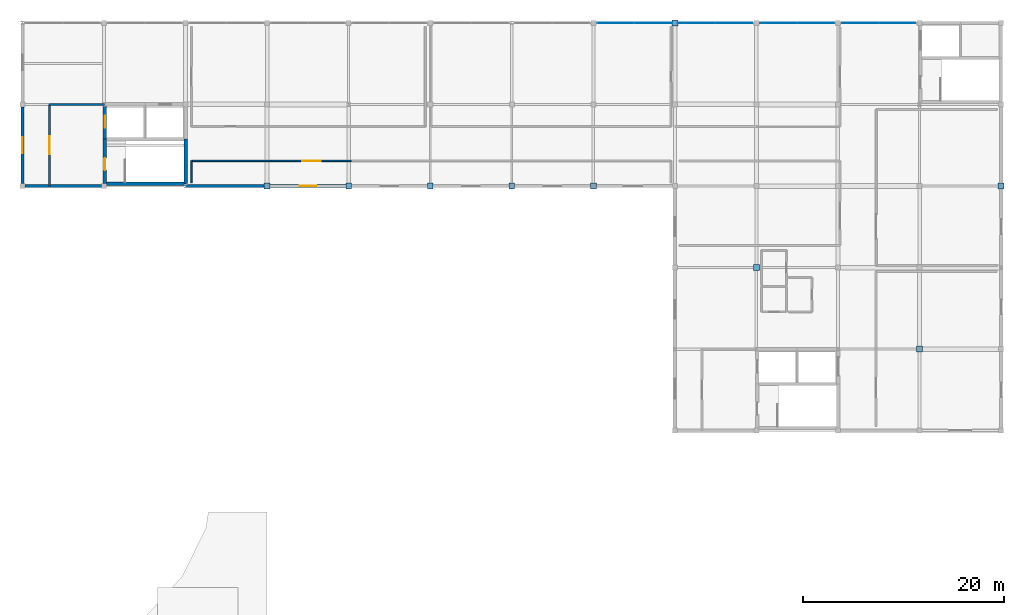
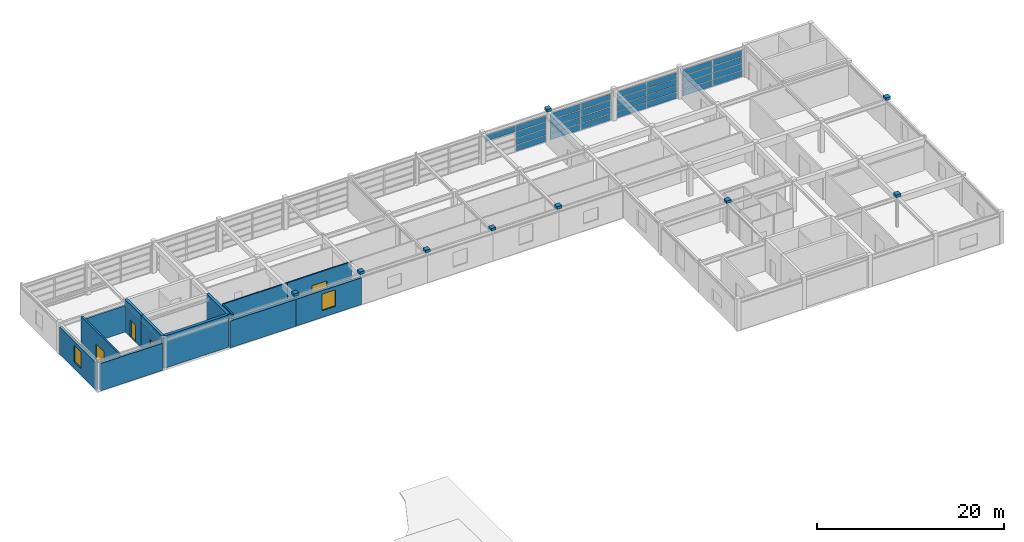
# One storey, part 15 of 19: 38 plates, 13 walls, 4 doors, 2 windows, 6 openings, 4 elements without a shape of their own.
"""IFC4 building model written with IfcOpenShell, lengths in metres."""

from ifc_helpers import new_model, si_unit, direction, frame, frame_2d, origin, origin_2d, place, context, subcontext, project, spatial, rectangle, extrude, material, layer, layer_set, type_object, element, fill, aggregate, save


model = new_model("IFC4")

# Units and contexts
model_context = context("Model", 3, precision=1e-05, world=origin(), true_north=direction((0.0, 1.0)))
body_context = subcontext(model_context, "Body", "Model", "MODEL_VIEW")
ifc_project = project(units=[si_unit("LENGTHUNIT", "METRE"), si_unit("AREAUNIT", "SQUARE_METRE"), si_unit("VOLUMEUNIT", "CUBIC_METRE"), si_unit("PLANEANGLEUNIT", "RADIAN"), si_unit("MASSUNIT", "GRAM", prefix="KILO")], contexts=[model_context])

# Site, building, storey
site_placement = place(None, origin())
site = spatial("IfcSite", under=ifc_project, at=site_placement, CompositionType="ELEMENT")
building_placement = place(site_placement, origin())
building = spatial("IfcBuilding", under=site, at=building_placement, Name="Parian Resonance Hall", CompositionType="ELEMENT")
storey_placement = place(building_placement, frame((0.0, 0.0, 23.39990234375)))
storey = spatial("IfcBuildingStorey", under=building, at=storey_placement, Name="L05", CompositionType="ELEMENT", Elevation=23.39990234375)

# Curtain wall, plates
ifc_material_1 = material(Name="Bronze-anodised aluminium frame", Category="aluminium")
curtain_wall_type_1 = type_object("IfcCurtainWallType", Name="CW-SYS-02", PredefinedType="NOTDEFINED", material=ifc_material_1)
curtain_wall_1_placement = place(storey_placement, origin())
curtain_wall_1 = element("IfcCurtainWall", 1, at=curtain_wall_1_placement, inside=storey, type_object=curtain_wall_type_1, Name="Curtain wall CW-L05-159", PredefinedType="NOTDEFINED")
ifc_material_2 = material(Name="Acoustic laminated double glazing", Category="glass")
ifc_layer_1 = layer(ifc_material_2, 0.02197265625)
ifc_layer_set_1 = layer_set([ifc_layer_1], Name="Acoustic laminated double glazing")
plate_type_1 = type_object("IfcPlateType", Name="CWP-IGU22", PredefinedType="CURTAIN_PANEL", material=ifc_layer_set_1)
plate_1_placement = place(storey_placement, frame((107.53759765625, 89.10009765625, 2.65380859375), z_axis=(0.0, 0.0, 1.0), x_axis=(1.0, 0.0, 0.0)))
plate_1 = element("IfcPlate", 2, at=plate_1_placement, type_object=plate_type_1, Name="CW-02 panel 1.4", PredefinedType="CURTAIN_PANEL", context=body_context, shape_type="SweptSolid", body=[
    extrude(rectangle(XDim=3.68505859375, YDim=0.02197265625, at=origin_2d()), origin(), (0.0, 0.0, 1.0), 0.786376953125),
])
plate_2_placement = place(storey_placement, frame((111.28759765625, 89.10009765625, 0.05712890625), z_axis=(0.0, 0.0, 1.0), x_axis=(1.0, 0.0, 0.0)))
plate_2 = element("IfcPlate", 3, at=plate_2_placement, type_object=plate_type_1, Name="CW-02 panel 2.1", PredefinedType="CURTAIN_PANEL", context=body_context, shape_type="SweptSolid", body=[
    extrude(rectangle(XDim=3.68505859375, YDim=0.02197265625, at=origin_2d()), origin(), (0.0, 0.0, 1.0), 0.7841796875),
])
plate_3_placement = place(storey_placement, frame((111.28759765625, 89.10009765625, 0.90625), z_axis=(0.0, 0.0, 1.0), x_axis=(1.0, 0.0, 0.0)))
plate_3 = element("IfcPlate", 4, at=plate_3_placement, type_object=plate_type_1, Name="CW-02 panel 2.2", PredefinedType="CURTAIN_PANEL", context=body_context, shape_type="SweptSolid", body=[
    extrude(rectangle(XDim=3.68505859375, YDim=0.02197265625, at=origin_2d()), origin(), (0.0, 0.0, 1.0), 0.808837890625),
])
plate_4_placement = place(storey_placement, frame((111.28759765625, 89.10009765625, 1.780029296875), z_axis=(0.0, 0.0, 1.0), x_axis=(1.0, 0.0, 0.0)))
plate_4 = element("IfcPlate", 5, at=plate_4_placement, type_object=plate_type_1, Name="CW-02 panel 2.3", PredefinedType="CURTAIN_PANEL", context=body_context, shape_type="SweptSolid", body=[
    extrude(rectangle(XDim=3.68505859375, YDim=0.02197265625, at=origin_2d()), origin(), (0.0, 0.0, 1.0), 0.80859375),
])
plate_5_placement = place(storey_placement, frame((111.28759765625, 89.10009765625, 2.65380859375), z_axis=(0.0, 0.0, 1.0), x_axis=(1.0, 0.0, 0.0)))
plate_5 = element("IfcPlate", 6, at=plate_5_placement, type_object=plate_type_1, Name="CW-02 panel 2.4", PredefinedType="CURTAIN_PANEL", context=body_context, shape_type="SweptSolid", body=[
    extrude(rectangle(XDim=3.68505859375, YDim=0.02197265625, at=origin_2d()), origin(), (0.0, 0.0, 1.0), 0.786376953125),
])
aggregate(curtain_wall_1, [plate_1, plate_2, plate_3, plate_4, plate_5])

ifc_material_3 = material(Name="Bronze-anodised aluminium frame", Category="aluminium")
curtain_wall_type_2 = type_object("IfcCurtainWallType", Name="CW-SYS-05", PredefinedType="NOTDEFINED", material=ifc_material_3)
curtain_wall_2_placement = place(storey_placement, origin())
curtain_wall_2 = element("IfcCurtainWall", 7, at=curtain_wall_2_placement, inside=storey, type_object=curtain_wall_type_2, Name="Curtain wall CW-L05-162", PredefinedType="NOTDEFINED")
plate_6_placement = place(storey_placement, frame((131.808837890625, 89.10009765625, 0.067138671875), z_axis=(0.0, 0.0, 1.0), x_axis=(1.0, 0.0, 0.0)))
plate_6 = element("IfcPlate", 8, at=plate_6_placement, type_object=plate_type_1, Name="CW-05 panel 1.1", PredefinedType="CURTAIN_PANEL", context=body_context, shape_type="SweptSolid", body=[
    extrude(rectangle(XDim=3.607421875, YDim=0.02197265625, at=origin_2d()), origin(), (0.0, 0.0, 1.0), 0.7822265625),
])
plate_7_placement = place(storey_placement, frame((131.808837890625, 89.10009765625, 0.92431640625), z_axis=(0.0, 0.0, 1.0), x_axis=(1.0, 0.0, 0.0)))
plate_7 = element("IfcPlate", 9, at=plate_7_placement, type_object=plate_type_1, Name="CW-05 panel 1.2", PredefinedType="CURTAIN_PANEL", context=body_context, shape_type="SweptSolid", body=[
    extrude(rectangle(XDim=3.607421875, YDim=0.02197265625, at=origin_2d()), origin(), (0.0, 0.0, 1.0), 0.811767578125),
])
plate_8_placement = place(storey_placement, frame((131.808837890625, 89.10009765625, 1.81103515625), z_axis=(0.0, 0.0, 1.0), x_axis=(1.0, 0.0, 0.0)))
plate_8 = element("IfcPlate", 10, at=plate_8_placement, type_object=plate_type_1, Name="CW-05 panel 1.3", PredefinedType="CURTAIN_PANEL", context=body_context, shape_type="SweptSolid", body=[
    extrude(rectangle(XDim=3.607421875, YDim=0.02197265625, at=origin_2d()), origin(), (0.0, 0.0, 1.0), 0.811767578125),
])
plate_9_placement = place(storey_placement, frame((131.808837890625, 89.10009765625, 2.69775390625), z_axis=(0.0, 0.0, 1.0), x_axis=(1.0, 0.0, 0.0)))
plate_9 = element("IfcPlate", 11, at=plate_9_placement, type_object=plate_type_1, Name="CW-05 panel 1.4", PredefinedType="CURTAIN_PANEL", context=body_context, shape_type="SweptSolid", body=[
    extrude(rectangle(XDim=3.607421875, YDim=0.02197265625, at=origin_2d()), origin(), (0.0, 0.0, 1.0), 0.7841796875),
])
plate_10_placement = place(storey_placement, frame((135.4912109375, 89.10009765625, 0.067138671875), z_axis=(0.0, 0.0, 1.0), x_axis=(1.0, 0.0, 0.0)))
plate_10 = element("IfcPlate", 12, at=plate_10_placement, type_object=plate_type_1, Name="CW-05 panel 2.1", PredefinedType="CURTAIN_PANEL", context=body_context, shape_type="SweptSolid", body=[
    extrude(rectangle(XDim=3.607421875, YDim=0.02197265625, at=origin_2d()), origin(), (0.0, 0.0, 1.0), 0.7822265625),
])
plate_11_placement = place(storey_placement, frame((135.4912109375, 89.10009765625, 0.92431640625), z_axis=(0.0, 0.0, 1.0), x_axis=(1.0, 0.0, 0.0)))
plate_11 = element("IfcPlate", 13, at=plate_11_placement, type_object=plate_type_1, Name="CW-05 panel 2.2", PredefinedType="CURTAIN_PANEL", context=body_context, shape_type="SweptSolid", body=[
    extrude(rectangle(XDim=3.607421875, YDim=0.02197265625, at=origin_2d()), origin(), (0.0, 0.0, 1.0), 0.811767578125),
])
plate_12_placement = place(storey_placement, frame((135.4912109375, 89.10009765625, 1.81103515625), z_axis=(0.0, 0.0, 1.0), x_axis=(1.0, 0.0, 0.0)))
plate_12 = element("IfcPlate", 14, at=plate_12_placement, type_object=plate_type_1, Name="CW-05 panel 2.3", PredefinedType="CURTAIN_PANEL", context=body_context, shape_type="SweptSolid", body=[
    extrude(rectangle(XDim=3.607421875, YDim=0.02197265625, at=origin_2d()), origin(), (0.0, 0.0, 1.0), 0.811767578125),
])
plate_13_placement = place(storey_placement, frame((135.4912109375, 89.10009765625, 2.69775390625), z_axis=(0.0, 0.0, 1.0), x_axis=(1.0, 0.0, 0.0)))
plate_13 = element("IfcPlate", 15, at=plate_13_placement, type_object=plate_type_1, Name="CW-05 panel 2.4", PredefinedType="CURTAIN_PANEL", context=body_context, shape_type="SweptSolid", body=[
    extrude(rectangle(XDim=3.607421875, YDim=0.02197265625, at=origin_2d()), origin(), (0.0, 0.0, 1.0), 0.7841796875),
])
aggregate(curtain_wall_2, [plate_6, plate_7, plate_8, plate_9, plate_10, plate_11, plate_12, plate_13])

ifc_material_4 = material(Name="Bronze-anodised aluminium frame", Category="aluminium")
curtain_wall_type_3 = type_object("IfcCurtainWallType", Name="CW-SYS-03", PredefinedType="NOTDEFINED", material=ifc_material_4)
curtain_wall_3_placement = place(storey_placement, origin())
curtain_wall_3 = element("IfcCurtainWall", 16, at=curtain_wall_3_placement, inside=storey, type_object=curtain_wall_type_3, Name="Curtain wall CW-L05-160", PredefinedType="NOTDEFINED")
ifc_material_5 = material(Name="Acoustic laminated double glazing", Category="glass")
ifc_layer_2 = layer(ifc_material_5, 0.031982421875)
ifc_layer_set_2 = layer_set([ifc_layer_2], Name="Acoustic laminated double glazing")
plate_type_2 = type_object("IfcPlateType", Name="CWP-IGU32", PredefinedType="CURTAIN_PANEL", material=ifc_layer_set_2)
plate_14_placement = place(storey_placement, frame((115.514892578125, 89.10009765625, 0.067138671875), z_axis=(0.0, 0.0, 1.0), x_axis=(1.0, 0.0, 0.0)))
plate_14 = element("IfcPlate", 17, at=plate_14_placement, type_object=plate_type_2, Name="CW-03 panel 1.1", PredefinedType="CURTAIN_PANEL", context=body_context, shape_type="SweptSolid", body=[
    extrude(rectangle(XDim=3.669921875, YDim=0.031982421875, at=origin_2d()), origin(), (0.0, 0.0, 1.0), 0.7822265625),
])
plate_15_placement = place(storey_placement, frame((115.514892578125, 89.10009765625, 0.92431640625), z_axis=(0.0, 0.0, 1.0), x_axis=(1.0, 0.0, 0.0)))
plate_15 = element("IfcPlate", 18, at=plate_15_placement, type_object=plate_type_2, Name="CW-03 panel 1.2", PredefinedType="CURTAIN_PANEL", context=body_context, shape_type="SweptSolid", body=[
    extrude(rectangle(XDim=3.669921875, YDim=0.031982421875, at=origin_2d()), origin(), (0.0, 0.0, 1.0), 0.811767578125),
])
plate_16_placement = place(storey_placement, frame((115.514892578125, 89.10009765625, 1.81103515625), z_axis=(0.0, 0.0, 1.0), x_axis=(1.0, 0.0, 0.0)))
plate_16 = element("IfcPlate", 19, at=plate_16_placement, type_object=plate_type_2, Name="CW-03 panel 1.3", PredefinedType="CURTAIN_PANEL", context=body_context, shape_type="SweptSolid", body=[
    extrude(rectangle(XDim=3.669921875, YDim=0.031982421875, at=origin_2d()), origin(), (0.0, 0.0, 1.0), 0.811767578125),
])
plate_17_placement = place(storey_placement, frame((115.514892578125, 89.10009765625, 2.69775390625), z_axis=(0.0, 0.0, 1.0), x_axis=(1.0, 0.0, 0.0)))
plate_17 = element("IfcPlate", 20, at=plate_17_placement, type_object=plate_type_2, Name="CW-03 panel 1.4", PredefinedType="CURTAIN_PANEL", context=body_context, shape_type="SweptSolid", body=[
    extrude(rectangle(XDim=3.669921875, YDim=0.031982421875, at=origin_2d()), origin(), (0.0, 0.0, 1.0), 0.7841796875),
])
plate_18_placement = place(storey_placement, frame((119.260009765625, 89.10009765625, 0.067138671875), z_axis=(0.0, 0.0, 1.0), x_axis=(1.0, 0.0, 0.0)))
plate_18 = element("IfcPlate", 21, at=plate_18_placement, type_object=plate_type_2, Name="CW-03 panel 2.1", PredefinedType="CURTAIN_PANEL", context=body_context, shape_type="SweptSolid", body=[
    extrude(rectangle(XDim=3.669921875, YDim=0.031982421875, at=origin_2d()), origin(), (0.0, 0.0, 1.0), 0.7822265625),
])
plate_19_placement = place(storey_placement, frame((119.260009765625, 89.10009765625, 0.92431640625), z_axis=(0.0, 0.0, 1.0), x_axis=(1.0, 0.0, 0.0)))
plate_19 = element("IfcPlate", 22, at=plate_19_placement, type_object=plate_type_2, Name="CW-03 panel 2.2", PredefinedType="CURTAIN_PANEL", context=body_context, shape_type="SweptSolid", body=[
    extrude(rectangle(XDim=3.669921875, YDim=0.031982421875, at=origin_2d()), origin(), (0.0, 0.0, 1.0), 0.811767578125),
])
plate_20_placement = place(storey_placement, frame((119.260009765625, 89.10009765625, 1.81103515625), z_axis=(0.0, 0.0, 1.0), x_axis=(1.0, 0.0, 0.0)))
plate_20 = element("IfcPlate", 23, at=plate_20_placement, type_object=plate_type_2, Name="CW-03 panel 2.3", PredefinedType="CURTAIN_PANEL", context=body_context, shape_type="SweptSolid", body=[
    extrude(rectangle(XDim=3.669921875, YDim=0.031982421875, at=origin_2d()), origin(), (0.0, 0.0, 1.0), 0.811767578125),
])
plate_21_placement = place(storey_placement, frame((119.260009765625, 89.10009765625, 2.69775390625), z_axis=(0.0, 0.0, 1.0), x_axis=(1.0, 0.0, 0.0)))
plate_21 = element("IfcPlate", 24, at=plate_21_placement, type_object=plate_type_2, Name="CW-03 panel 2.4", PredefinedType="CURTAIN_PANEL", context=body_context, shape_type="SweptSolid", body=[
    extrude(rectangle(XDim=3.669921875, YDim=0.031982421875, at=origin_2d()), origin(), (0.0, 0.0, 1.0), 0.7841796875),
])
aggregate(curtain_wall_3, [plate_14, plate_15, plate_16, plate_17, plate_18, plate_19, plate_20, plate_21])

ifc_material_6 = material(Name="Bronze-anodised aluminium frame", Category="aluminium")
curtain_wall_type_4 = type_object("IfcCurtainWallType", Name="CW-SYS-04", PredefinedType="NOTDEFINED", material=ifc_material_6)
curtain_wall_4_placement = place(storey_placement, origin())
curtain_wall_4 = element("IfcCurtainWall", 25, at=curtain_wall_4_placement, inside=storey, type_object=curtain_wall_type_4, Name="Curtain wall CW-L05-161", PredefinedType="NOTDEFINED")
ifc_material_7 = material(Name="Acoustic laminated double glazing", Category="glass")
ifc_layer_3 = layer(ifc_material_7, 0.0419921875)
ifc_layer_set_3 = layer_set([ifc_layer_3], Name="Acoustic laminated double glazing")
plate_type_3 = type_object("IfcPlateType", Name="CWP-IGU42", PredefinedType="CURTAIN_PANEL", material=ifc_layer_set_3)
plate_22_placement = place(storey_placement, frame((123.706298828125, 89.10009765625, 0.05712890625), z_axis=(0.0, 0.0, 1.0), x_axis=(1.0, 0.0, 0.0)))
plate_22 = element("IfcPlate", 26, at=plate_22_placement, type_object=plate_type_3, Name="CW-04 panel 1.1", PredefinedType="CURTAIN_PANEL", context=body_context, shape_type="SweptSolid", body=[
    extrude(rectangle(XDim=3.62255859375, YDim=0.0419921875, at=origin_2d()), origin(), (0.0, 0.0, 1.0), 0.7841796875),
])
plate_23_placement = place(storey_placement, frame((123.706298828125, 89.10009765625, 0.90625), z_axis=(0.0, 0.0, 1.0), x_axis=(1.0, 0.0, 0.0)))
plate_23 = element("IfcPlate", 27, at=plate_23_placement, type_object=plate_type_3, Name="CW-04 panel 1.2", PredefinedType="CURTAIN_PANEL", context=body_context, shape_type="SweptSolid", body=[
    extrude(rectangle(XDim=3.62255859375, YDim=0.0419921875, at=origin_2d()), origin(), (0.0, 0.0, 1.0), 0.808837890625),
])
plate_24_placement = place(storey_placement, frame((123.706298828125, 89.10009765625, 1.780029296875), z_axis=(0.0, 0.0, 1.0), x_axis=(1.0, 0.0, 0.0)))
plate_24 = element("IfcPlate", 28, at=plate_24_placement, type_object=plate_type_3, Name="CW-04 panel 1.3", PredefinedType="CURTAIN_PANEL", context=body_context, shape_type="SweptSolid", body=[
    extrude(rectangle(XDim=3.62255859375, YDim=0.0419921875, at=origin_2d()), origin(), (0.0, 0.0, 1.0), 0.80859375),
])
plate_25_placement = place(storey_placement, frame((123.706298828125, 89.10009765625, 2.65380859375), z_axis=(0.0, 0.0, 1.0), x_axis=(1.0, 0.0, 0.0)))
plate_25 = element("IfcPlate", 29, at=plate_25_placement, type_object=plate_type_3, Name="CW-04 panel 1.4", PredefinedType="CURTAIN_PANEL", context=body_context, shape_type="SweptSolid", body=[
    extrude(rectangle(XDim=3.62255859375, YDim=0.0419921875, at=origin_2d()), origin(), (0.0, 0.0, 1.0), 0.786376953125),
])
plate_26_placement = place(storey_placement, frame((127.393798828125, 89.10009765625, 0.05712890625), z_axis=(0.0, 0.0, 1.0), x_axis=(1.0, 0.0, 0.0)))
plate_26 = element("IfcPlate", 30, at=plate_26_placement, type_object=plate_type_3, Name="CW-04 panel 2.1", PredefinedType="CURTAIN_PANEL", context=body_context, shape_type="SweptSolid", body=[
    extrude(rectangle(XDim=3.62255859375, YDim=0.0419921875, at=origin_2d()), origin(), (0.0, 0.0, 1.0), 0.7841796875),
])
plate_27_placement = place(storey_placement, frame((127.393798828125, 89.10009765625, 0.90625), z_axis=(0.0, 0.0, 1.0), x_axis=(1.0, 0.0, 0.0)))
plate_27 = element("IfcPlate", 31, at=plate_27_placement, type_object=plate_type_3, Name="CW-04 panel 2.2", PredefinedType="CURTAIN_PANEL", context=body_context, shape_type="SweptSolid", body=[
    extrude(rectangle(XDim=3.62255859375, YDim=0.0419921875, at=origin_2d()), origin(), (0.0, 0.0, 1.0), 0.808837890625),
])
plate_28_placement = place(storey_placement, frame((127.393798828125, 89.10009765625, 1.780029296875), z_axis=(0.0, 0.0, 1.0), x_axis=(1.0, 0.0, 0.0)))
plate_28 = element("IfcPlate", 32, at=plate_28_placement, type_object=plate_type_3, Name="CW-04 panel 2.3", PredefinedType="CURTAIN_PANEL", context=body_context, shape_type="SweptSolid", body=[
    extrude(rectangle(XDim=3.62255859375, YDim=0.0419921875, at=origin_2d()), origin(), (0.0, 0.0, 1.0), 0.80859375),
])
plate_29_placement = place(storey_placement, frame((127.393798828125, 89.10009765625, 2.65380859375), z_axis=(0.0, 0.0, 1.0), x_axis=(1.0, 0.0, 0.0)))
plate_29 = element("IfcPlate", 33, at=plate_29_placement, type_object=plate_type_3, Name="CW-04 panel 2.4", PredefinedType="CURTAIN_PANEL", context=body_context, shape_type="SweptSolid", body=[
    extrude(rectangle(XDim=3.62255859375, YDim=0.0419921875, at=origin_2d()), origin(), (0.0, 0.0, 1.0), 0.786376953125),
])
aggregate(curtain_wall_4, [plate_22, plate_23, plate_24, plate_25, plate_26, plate_27, plate_28, plate_29])

# Plates
ifc_material_8 = material(Name="Steel S355", Category="steel")
ifc_layer_4 = layer(ifc_material_8, 0.340087890625)
ifc_layer_set_4 = layer_set([ifc_layer_4], Name="Steel S355")
plate_type_4 = type_object("IfcPlateType", Name="PLT-CAP-500", PredefinedType="SHEET", material=ifc_layer_set_4)
for number, where, z_axis, x_axis, name in (
    (34, (72.89990234375, 72.89990234375, 4.0302734375), (0.0, 0.0, 1.0), (1.0, 0.0, 0.0), "Steel hollow-section node closure block 0286"),
    (35, (81.0, 72.89990234375, 4.0302734375), (0.0, 0.0, 1.0), (1.0, 0.0, 0.0), "Steel hollow-section node closure block 0298"),
    (36, (89.10009765625, 72.89990234375, 4.0302734375), (0.0, 0.0, 1.0), (1.0, 0.0, 0.0), "Steel hollow-section node closure block 0310"),
    (37, (97.199951171875, 72.89990234375, 4.0302734375), (0.0, 0.0, 1.0), (1.0, 0.0, 0.0), "Steel hollow-section node closure block 0322"),
    (38, (113.39990234375, 89.10009765625, 4.0302734375), (0.0, 0.0, 1.0), (1.0, 0.0, 0.0), "Steel hollow-section node closure block 0330"),
    (39, (121.5, 64.800048828125, 4.0302734375), (0.0, 0.0, 1.0), (1.0, 0.0, 0.0), "Steel hollow-section node closure block 0334"),
    (40, (145.800048828125, 72.89990234375, 4.0302734375), (0.0, 0.0, 1.0), (1.0, 0.0, 0.0), "Steel hollow-section node closure block 0342"),
):
    element("IfcPlate", number, at=place(storey_placement, frame(where, z_axis=z_axis, x_axis=x_axis)), inside=storey, type_object=plate_type_4, Name=name, PredefinedType="SHEET", context=body_context, shape_type="SweptSolid", body=[
        extrude(rectangle(XDim=0.580078125, YDim=0.580078125, at=origin_2d()), origin(), (0.0, 0.0, 1.0), 0.340087890625),
    ])
ifc_material_9 = material(Name="Steel S355", Category="steel")
ifc_layer_5 = layer(ifc_material_9, 0.360107421875)
ifc_layer_set_5 = layer_set([ifc_layer_5], Name="Steel S355")
plate_type_5 = type_object("IfcPlateType", Name="PLT-GUS-520", PredefinedType="USERDEFINED", material=ifc_layer_set_5)
for number, where, z_axis, x_axis, name in (
    (41, (105.300048828125, 72.89990234375, 4.02001953125), (0.0, 0.0, 1.0), (1.0, 0.0, 0.0), "Steel hollow-section node closure block 0326"),
    (42, (137.699951171875, 56.699951171875, 4.02001953125), (0.0, 0.0, 1.0), (1.0, 0.0, 0.0), "Steel hollow-section node closure block 0338"),
):
    element("IfcPlate", number, at=place(storey_placement, frame(where, z_axis=z_axis, x_axis=x_axis)), inside=storey, type_object=plate_type_5, Name=name, ObjectType="GUSSET PLATE", PredefinedType="USERDEFINED", context=body_context, shape_type="SweptSolid", body=[
        extrude(rectangle(XDim=0.580078125, YDim=0.580078125, at=origin_2d()), origin(), (0.0, 0.0, 1.0), 0.360107421875),
    ])

# Wall, opening, door
ifc_material_10 = material(Name="Concrete C40/50", Category="concrete")
ifc_layer_6 = layer(ifc_material_10, 0.35009765625)
ifc_layer_set_6 = layer_set([ifc_layer_6], Name="Concrete C40/50")
wall_type_1 = type_object("IfcWallType", Name="CW350", PredefinedType="SHEAR", material=ifc_layer_set_6)
wall_1_placement = place(storey_placement, frame((56.77001953125, 73.1298828125, 0.0), z_axis=(0.0, 0.0, 1.0), x_axis=(0.0, 1.0, 0.0)))
wall_1 = element("IfcWall", 43, at=wall_1_placement, inside=storey, type_object=wall_type_1, Name="Core K1 stairwell west shear wall L05", PredefinedType="SHEAR", context=body_context, shape_type="SweptSolid", body=[
    extrude(rectangle(XDim=4.420166015625, YDim=0.35009765625, at=frame_2d((2.2099609375, 0.0))), origin(), (0.0, 0.0, 1.0), 4.2001953125),
])
opening_1_placement = place(wall_1_placement, frame((1.35009765625, 0.0, 0.0)))
opening_1 = element("IfcOpeningElement", 44, at=opening_1_placement, cuts=wall_1, Name="Opening FD-01", PredefinedType="OPENING", context=body_context, shape_type="SweptSolid", body=[
    extrude(rectangle(XDim=1.199951171875, YDim=2.25, at=frame_2d((0.60009765625, 1.125))), frame((0.0, 0.18505859375, 0.0), z_axis=(0.0, -1.0, 0.0), x_axis=(1.0, 0.0, 0.0)), (0.0, 0.0, 1.0), 0.3701171875),
])
ifc_material_11 = material(Name="Fire-rated acoustic steel and narra timber door", Category="steel")
door_type_1 = type_object("IfcDoorType", Name="FD-01", OperationType="NOTDEFINED", PredefinedType="DOOR", material=ifc_material_11)
door_1_placement = place(opening_1_placement, origin())
door_1 = element("IfcDoor", 45, at=door_1_placement, inside=storey, type_object=door_type_1, Name="Exit stair ST-01 fire door L05", OperationType="SINGLE_SWING_LEFT", OverallHeight=2.25, OverallWidth=1.199951171875, PredefinedType="DOOR", context=body_context, shape_type="SweptSolid", body=[
    extrude(rectangle(XDim=1.199951171875, YDim=2.25, at=frame_2d((0.60009765625, 1.125))), frame((0.0, 0.02490234375, 0.0), z_axis=(0.0, -1.0, 0.0), x_axis=(1.0, 0.0, 0.0)), (0.0, 0.0, 1.0), 0.050048828125),
])
fill(opening_1, door_1)

wall_2_placement = place(storey_placement, frame((56.77001953125, 77.550048828125, 0.0), z_axis=(0.0, 0.0, 1.0), x_axis=(0.0, 1.0, 0.0)))
wall_2 = element("IfcWall", 46, at=wall_2_placement, inside=storey, type_object=wall_type_1, Name="Core K1 lift shaft west shear wall L05", PredefinedType="SHEAR", context=body_context, shape_type="SweptSolid", body=[
    extrude(rectangle(XDim=3.449951171875, YDim=0.35009765625, at=frame_2d((1.72509765625, 0.0))), origin(), (0.0, 0.0, 1.0), 4.2001953125),
])
opening_2_placement = place(wall_2_placement, frame((1.125, 0.0, 0.0)))
opening_2 = element("IfcOpeningElement", 47, at=opening_2_placement, cuts=wall_2, Name="Opening LD-01", PredefinedType="OPENING", context=body_context, shape_type="SweptSolid", body=[
    extrude(rectangle(XDim=1.199951171875, YDim=2.199951171875, at=frame_2d((0.60009765625, 1.10009765625))), frame((0.0, 0.18505859375, 0.0), z_axis=(0.0, -1.0, 0.0), x_axis=(1.0, 0.0, 0.0)), (0.0, 0.0, 1.0), 0.3701171875),
])
ifc_material_12 = material(Name="Stainless steel and bronze elevator cab", Category="steel")
door_type_2 = type_object("IfcDoorType", Name="DOOR-LIFT-1200x2200", OperationType="SLIDING_TO_LEFT", PredefinedType="DOOR", material=ifc_material_12)
door_2_placement = place(opening_2_placement, origin())
door_2 = element("IfcDoor", 48, at=door_2_placement, inside=storey, type_object=door_type_2, Name="Lift LF-01 sliding landing door L05", OperationType="SLIDING_TO_LEFT", OverallHeight=2.199951171875, OverallWidth=1.199951171875, PredefinedType="DOOR", context=body_context, shape_type="SweptSolid", body=[
    extrude(rectangle(XDim=1.199951171875, YDim=2.199951171875, at=frame_2d((0.60009765625, 1.10009765625))), frame((0.0, 0.02490234375, 0.0), z_axis=(0.0, -1.0, 0.0), x_axis=(1.0, 0.0, 0.0)), (0.0, 0.0, 1.0), 0.050048828125),
])
fill(opening_2, door_2)

# Walls
wall_3_placement = place(storey_placement, frame((64.830078125, 77.550048828125, 0.0), z_axis=(0.0, 0.0, 1.0), x_axis=(0.0, -1.0, 0.0)))
element("IfcWall", 49, at=wall_3_placement, inside=storey, type_object=wall_type_1, Name="Core K1 stairwell east wall L05", PredefinedType="SHEAR", context=body_context, shape_type="SweptSolid", body=[
    extrude(rectangle(XDim=4.420166015625, YDim=0.35009765625, at=frame_2d((2.2099609375, 0.0))), origin(), (0.0, 0.0, 1.0), 4.2001953125),
])
wall_4_placement = place(storey_placement, frame((64.830078125, 73.1298828125, 0.0), z_axis=(0.0, 0.0, 1.0), x_axis=(-1.0, 0.0, 0.0)))
element("IfcWall", 50, at=wall_4_placement, inside=storey, type_object=wall_type_1, Name="Core K1 stairwell south wall L05", PredefinedType="SHEAR", context=body_context, shape_type="SweptSolid", body=[
    extrude(rectangle(XDim=8.06005859375, YDim=0.35009765625, at=frame_2d((4.030029296875, 0.0))), origin(), (0.0, 0.0, 1.0), 4.2001953125),
])

# Wall, opening, window
ifc_material_13 = material(Name="Concrete C35/45 with Carcar coral-limestone ashlar", Category="masonry")
ifc_layer_7 = layer(ifc_material_13, 0.340087890625)
ifc_layer_set_7 = layer_set([ifc_layer_7], Name="Concrete C35/45 with Carcar coral-limestone ashlar")
wall_type_2 = type_object("IfcWallType", Name="EW-STONE-340", PredefinedType="SOLIDWALL", material=ifc_layer_set_7)
wall_5_placement = place(storey_placement, frame((48.60009765625, 80.75, 0.0), z_axis=(0.0, 0.0, 1.0), x_axis=(0.0, -1.0, 0.0)))
wall_5 = element("IfcWall", 51, at=wall_5_placement, inside=storey, type_object=wall_type_2, Name="Perimeter closure wall L05", PredefinedType="SOLIDWALL", context=body_context, shape_type="SweptSolid", body=[
    extrude(rectangle(XDim=7.60009765625, YDim=0.340087890625, at=frame_2d((3.800048828125, 0.0))), origin(), (0.0, 0.0, 1.0), 3.607177734375),
])
opening_3_placement = place(wall_5_placement, frame((3.02490234375, 0.0, 0.89990234375)))
opening_3 = element("IfcOpeningElement", 52, at=opening_3_placement, cuts=wall_5, Name="Opening WN-26", PredefinedType="OPENING", context=body_context, shape_type="SweptSolid", body=[
    extrude(rectangle(XDim=1.550048828125, YDim=2.199951171875, at=frame_2d((0.77490234375, 1.10009765625))), frame((0.0, 0.179931640625, 0.0), z_axis=(0.0, -1.0, 0.0), x_axis=(1.0, 0.0, 0.0)), (0.0, 0.0, 1.0), 0.360107421875),
])
ifc_material_14 = material(Name="Acoustic laminated double glazing", Category="glass")
window_type_1 = type_object("IfcWindowType", Name="WIN-1550x2200", PartitioningType="SINGLE_PANEL", PredefinedType="WINDOW", material=ifc_material_14)
window_1_placement = place(opening_3_placement, origin())
window_1 = element("IfcWindow", 53, at=window_1_placement, inside=storey, type_object=window_type_1, Name="Acoustic window L05-0132", OverallHeight=2.199951171875, OverallWidth=1.550048828125, PartitioningType="SINGLE_PANEL", PredefinedType="WINDOW", context=body_context, shape_type="SweptSolid", body=[
    extrude(rectangle(XDim=1.550048828125, YDim=2.199951171875, at=frame_2d((0.77490234375, 1.10009765625))), frame((0.0, 0.030029296875, 0.0), z_axis=(0.0, -1.0, 0.0), x_axis=(1.0, 0.0, 0.0)), (0.0, 0.0, 1.0), 0.06005859375),
])
fill(opening_3, window_1)

# Walls
wall_6_placement = place(storey_placement, frame((48.85009765625, 72.89990234375, 0.0), z_axis=(0.0, 0.0, 1.0), x_axis=(1.0, 0.0, 0.0)))
element("IfcWall", 54, at=wall_6_placement, inside=storey, type_object=wall_type_2, Name="Perimeter closure wall L05", PredefinedType="SOLIDWALL", context=body_context, shape_type="SweptSolid", body=[
    extrude(rectangle(XDim=7.599853515625, YDim=0.340087890625, at=frame_2d((3.7998046875, 0.0))), origin(), (0.0, 0.0, 1.0), 3.547119140625),
])
wall_7_placement = place(storey_placement, frame((64.800048828125, 72.89990234375, 0.0), z_axis=(0.0, 0.0, 1.0), x_axis=(1.0, 0.0, 0.0)))
element("IfcWall", 55, at=wall_7_placement, inside=storey, type_object=wall_type_2, Name="Perimeter closure wall L05", PredefinedType="SOLIDWALL", context=body_context, shape_type="SweptSolid", body=[
    extrude(rectangle(XDim=8.099853515625, YDim=0.340087890625, at=frame_2d((4.0498046875, 0.0))), origin(), (0.0, 0.0, 1.0), 3.4951171875),
])

# Wall, opening, window
wall_8_placement = place(storey_placement, frame((72.89990234375, 72.89990234375, 0.0), z_axis=(0.0, 0.0, 1.0), x_axis=(1.0, 0.0, 0.0)))
wall_8 = element("IfcWall", 56, at=wall_8_placement, inside=storey, type_object=wall_type_2, Name="Perimeter closure wall L05", PredefinedType="SOLIDWALL", context=body_context, shape_type="SweptSolid", body=[
    extrude(rectangle(XDim=8.10009765625, YDim=0.340087890625, at=frame_2d((4.050048828125, 0.0))), origin(), (0.0, 0.0, 1.0), 3.4951171875),
])
opening_4_placement = place(wall_8_placement, frame((3.22509765625, 0.0, 0.89990234375)))
opening_4 = element("IfcOpeningElement", 57, at=opening_4_placement, cuts=wall_8, Name="Opening WN-29", PredefinedType="OPENING", context=body_context, shape_type="SweptSolid", body=[
    extrude(rectangle(XDim=1.64990234375, YDim=2.14990234375, at=frame_2d((0.824951171875, 1.074951171875))), frame((0.0, 0.179931640625, 0.0), z_axis=(0.0, -1.0, 0.0), x_axis=(1.0, 0.0, 0.0)), (0.0, 0.0, 1.0), 0.360107421875),
])
ifc_material_15 = material(Name="Acoustic laminated double glazing", Category="glass")
window_type_2 = type_object("IfcWindowType", Name="WIN-1650x2150", PartitioningType="SINGLE_PANEL", PredefinedType="WINDOW", material=ifc_material_15)
window_2_placement = place(opening_4_placement, origin())
window_2 = element("IfcWindow", 58, at=window_2_placement, inside=storey, type_object=window_type_2, Name="Acoustic window L05-0133", OverallHeight=2.14990234375, OverallWidth=1.64990234375, PartitioningType="SINGLE_PANEL", PredefinedType="WINDOW", context=body_context, shape_type="SweptSolid", body=[
    extrude(rectangle(XDim=1.64990234375, YDim=2.14990234375, at=frame_2d((0.824951171875, 1.074951171875))), frame((0.0, 0.030029296875, 0.0), z_axis=(0.0, -1.0, 0.0), x_axis=(1.0, 0.0, 0.0)), (0.0, 0.0, 1.0), 0.06005859375),
])
fill(opening_4, window_2)

# Wall, opening, door
ifc_material_16 = material(Name="Concrete C35/45 fire barrier", Category="concrete")
ifc_layer_8 = layer(ifc_material_16, 0.199951171875)
ifc_layer_set_8 = layer_set([ifc_layer_8], Name="Concrete C35/45 fire barrier")
wall_type_3 = type_object("IfcWallType", Name="FW200", PredefinedType="PARTITIONING", material=ifc_layer_set_8)
wall_9_placement = place(storey_placement, frame((51.300048828125, 72.89990234375, 0.0), z_axis=(0.0, 0.0, 1.0), x_axis=(0.0, 1.0, 0.0)))
wall_9 = element("IfcWall", 59, at=wall_9_placement, inside=storey, type_object=wall_type_3, Name="Firefighting lift lobby K1 west fire barrier L05", PredefinedType="PARTITIONING", context=body_context, shape_type="SweptSolid", body=[
    extrude(rectangle(XDim=8.10009765625, YDim=0.199951171875, at=frame_2d((4.050048828125, 0.0))), origin(), (0.0, 0.0, 1.0), 3.900146484375),
])
opening_5_placement = place(wall_9_placement, frame((3.14990234375, 0.0, 0.0)))
opening_5 = element("IfcOpeningElement", 60, at=opening_5_placement, cuts=wall_9, Name="Opening FD-02", PredefinedType="OPENING", context=body_context, shape_type="SweptSolid", body=[
    extrude(rectangle(XDim=1.800048828125, YDim=2.25, at=frame_2d((0.89990234375, 1.125))), frame((0.0, 0.10986328125, 0.0), z_axis=(0.0, -1.0, 0.0), x_axis=(1.0, 0.0, 0.0)), (0.0, 0.0, 1.0), 0.219970703125),
])
ifc_material_17 = material(Name="Fire-rated acoustic steel and narra timber door", Category="steel")
door_type_3 = type_object("IfcDoorType", Name="FD-02", OperationType="NOTDEFINED", PredefinedType="DOOR", material=ifc_material_17)
door_3_placement = place(opening_5_placement, origin())
door_3 = element("IfcDoor", 61, at=door_3_placement, inside=storey, type_object=door_type_3, Name="Firefighting lift lobby K1 smoke-seal fire door L05", OperationType="DOUBLE_DOOR_SINGLE_SWING", OverallHeight=2.25, OverallWidth=1.800048828125, PredefinedType="DOOR", context=body_context, shape_type="SweptSolid", body=[
    extrude(rectangle(XDim=1.800048828125, YDim=2.25, at=frame_2d((0.89990234375, 1.125))), frame((0.0, 0.02490234375, 0.0), z_axis=(0.0, -1.0, 0.0), x_axis=(1.0, 0.0, 0.0)), (0.0, 0.0, 1.0), 0.050048828125),
])
fill(opening_5, door_3)

# Walls
wall_10_placement = place(storey_placement, frame((51.300048828125, 81.0, 0.0), z_axis=(0.0, 0.0, 1.0), x_axis=(1.0, 0.0, 0.0)))
element("IfcWall", 62, at=wall_10_placement, inside=storey, type_object=wall_type_3, Name="Firefighting lift lobby K1 N fire barrier L05", PredefinedType="PARTITIONING", context=body_context, shape_type="SweptSolid", body=[
    extrude(rectangle(XDim=5.469970703125, YDim=0.199951171875, at=frame_2d((2.73486328125, 0.0))), origin(), (0.0, 0.0, 1.0), 3.43115234375),
])
ifc_material_18 = material(Name="Concrete C35/45 acoustic masonry partition", Category="masonry")
ifc_layer_9 = layer(ifc_material_18, 0.159912109375)
ifc_layer_set_9 = layer_set([ifc_layer_9], Name="Concrete C35/45 acoustic masonry partition")
wall_type_4 = type_object("IfcWallType", Name="PW160", PredefinedType="PARTITIONING", material=ifc_layer_set_9)
wall_11_placement = place(storey_placement, frame((65.39990234375, 73.199951171875, 0.0), z_axis=(0.0, 0.0, 1.0), x_axis=(0.0, 1.0, 0.0)))
element("IfcWall", 63, at=wall_11_placement, inside=storey, type_object=wall_type_4, Name="Interior acoustic partition IW-L05-0316", PredefinedType="PARTITIONING", context=body_context, shape_type="SweptSolid", body=[
    extrude(rectangle(XDim=2.199951171875, YDim=0.159912109375, at=frame_2d((1.10009765625, 0.0))), origin(), (0.0, 0.0, 1.0), 3.920166015625),
])
wall_12_placement = place(storey_placement, frame((65.39990234375, 75.39990234375, 0.0), z_axis=(0.0, 0.0, 1.0), x_axis=(1.0, 0.0, 0.0)))
element("IfcWall", 64, at=wall_12_placement, inside=storey, type_object=wall_type_4, Name="Interior acoustic partition IW-L05-0317", PredefinedType="PARTITIONING", context=body_context, shape_type="SweptSolid", body=[
    extrude(rectangle(XDim=7.933349609375, YDim=0.159912109375, at=frame_2d((3.966796875, 0.0))), origin(), (0.0, 0.0, 1.0), 3.920166015625),
])

# Wall, opening, door
wall_13_placement = place(storey_placement, frame((73.333251953125, 75.39990234375, 0.0), z_axis=(0.0, 0.0, 1.0), x_axis=(1.0, 0.0, 0.0)))
wall_13 = element("IfcWall", 65, at=wall_13_placement, inside=storey, type_object=wall_type_4, Name="Interior acoustic partition IW-L05-0318", PredefinedType="PARTITIONING", context=body_context, shape_type="SweptSolid", body=[
    extrude(rectangle(XDim=7.933349609375, YDim=0.159912109375, at=frame_2d((3.966796875, 0.0))), origin(), (0.0, 0.0, 1.0), 3.920166015625),
])
opening_6_placement = place(wall_13_placement, frame((3.066650390625, 0.0, 0.0)))
opening_6 = element("IfcOpeningElement", 66, at=opening_6_placement, cuts=wall_13, Name="Opening ID-06", PredefinedType="OPENING", context=body_context, shape_type="SweptSolid", body=[
    extrude(rectangle(XDim=1.800048828125, YDim=2.5, at=frame_2d((0.89990234375, 1.25))), frame((0.0, 0.08984375, 0.0), z_axis=(0.0, -1.0, 0.0), x_axis=(1.0, 0.0, 0.0)), (0.0, 0.0, 1.0), 0.179931640625),
])
ifc_material_19 = material(Name="Fire-rated acoustic steel and narra timber door", Category="steel")
door_type_4 = type_object("IfcDoorType", Name="ID-REH-1800x2500", OperationType="NOTDEFINED", PredefinedType="DOOR", material=ifc_material_19)
door_4_placement = place(opening_6_placement, origin())
door_4 = element("IfcDoor", 67, at=door_4_placement, inside=storey, type_object=door_type_4, Name="Broadcast Engineering Workshop door", OperationType="DOUBLE_DOOR_SINGLE_SWING", OverallHeight=2.5, OverallWidth=1.800048828125, PredefinedType="DOOR", context=body_context, shape_type="SweptSolid", body=[
    extrude(rectangle(XDim=1.800048828125, YDim=2.5, at=frame_2d((0.89990234375, 1.25))), frame((0.0, 0.02490234375, 0.0), z_axis=(0.0, -1.0, 0.0), x_axis=(1.0, 0.0, 0.0)), (0.0, 0.0, 1.0), 0.050048828125),
])
fill(opening_6, door_4)

save(model, "model.ifc")
